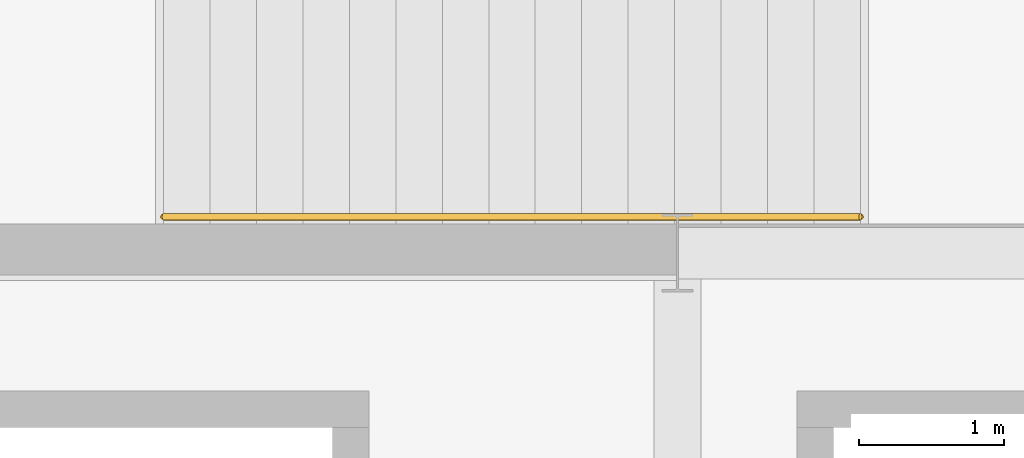
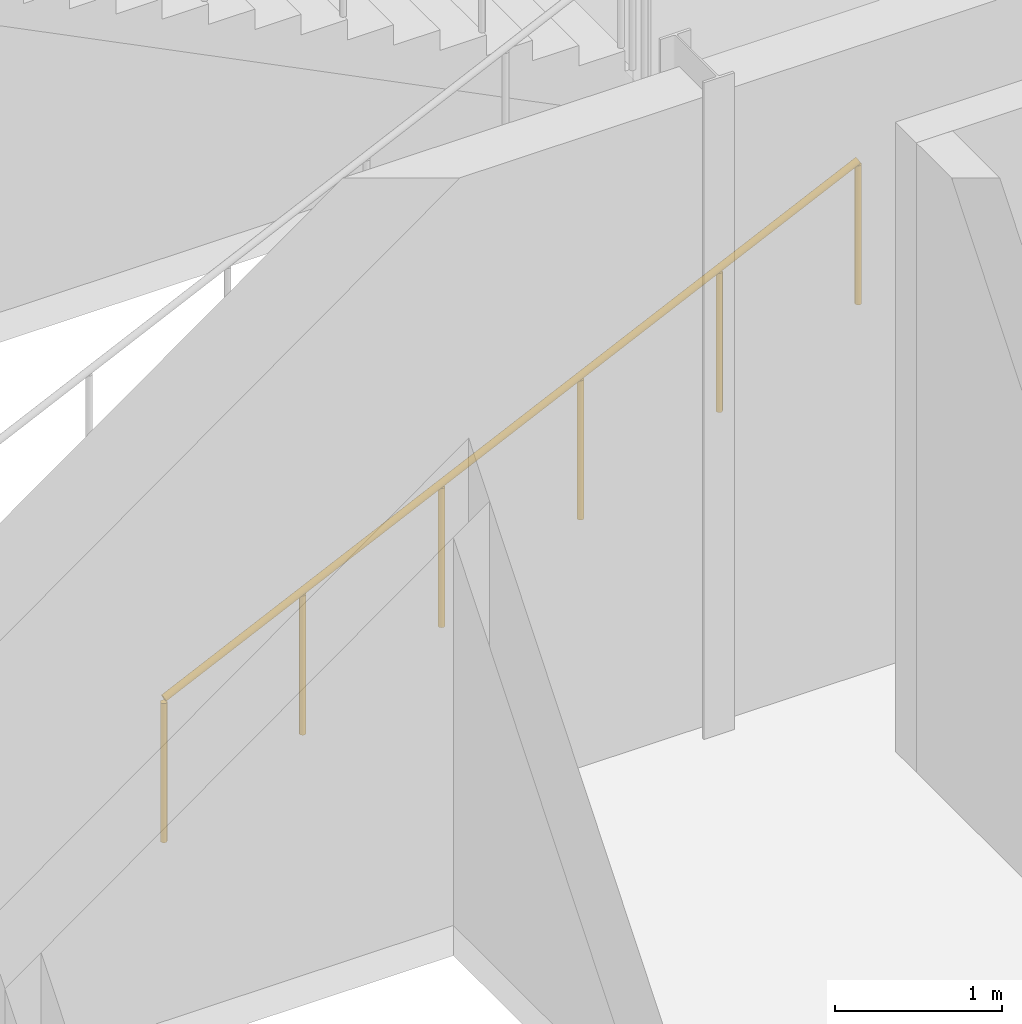
# One storey, part 221 of 224: 1 railing.
"""IFC4 building model written with IfcOpenShell, lengths in metres."""

from ifc_helpers import new_model, si_unit, direction, frame, origin, origin_2d, place, context, subcontext, project, spatial, circle, extrude, material, type_object, element, save


model = new_model("IFC4")

# Units and contexts
model_context = context("Model", 3, precision=1e-05, world=origin(), true_north=direction((0.0, 1.0)))
body_context = subcontext(model_context, "Body", "Model", "MODEL_VIEW")
ifc_project = project(units=[si_unit("LENGTHUNIT", "METRE"), si_unit("AREAUNIT", "SQUARE_METRE"), si_unit("VOLUMEUNIT", "CUBIC_METRE"), si_unit("PLANEANGLEUNIT", "RADIAN"), si_unit("MASSUNIT", "GRAM", prefix="KILO")], contexts=[model_context])

# Site, building, storey
site_placement = place(None, origin())
site = spatial("IfcSite", under=ifc_project, at=site_placement, CompositionType="ELEMENT")
building_placement = place(site_placement, origin())
building = spatial("IfcBuilding", under=site, at=building_placement, Name="Qamarlyn Nura Convention Centre", CompositionType="ELEMENT")
storey_placement = place(building_placement, frame((0.0, 0.0, 10.800048828125)))
storey = spatial("IfcBuildingStorey", under=building, at=storey_placement, Name="L02", CompositionType="ELEMENT", Elevation=10.800048828125)

# Railing
ifc_material = material(Name="Marine Grade 316 stainless steel", Category="steel")
railing_type = type_object("IfcRailingType", Name="HRL-STAIR-090", PredefinedType="HANDRAIL", material=ifc_material)
railing_placement = place(storey_placement, frame((182.4599609375, 63.25, 0.30224609375)))
element("IfcRailing", 1, at=railing_placement, inside=storey, type_object=railing_type, Name="L02 ST-13 stair handrail 1", PredefinedType="HANDRAIL", context=body_context, shape_type="SweptSolid", body=[
    extrude(circle(Radius=0.02392578125, at=origin_2d()), frame((0.0, 0.0, 0.88818359375), z_axis=(0.90546059521, 0.0, 0.424430336476), x_axis=(0.0, 1.0, 0.0)), (0.0, 0.0, 1.0), 5.30126953125),
    extrude(circle(Radius=0.02099609375, at=origin_2d()), frame((0.0, 0.0, -0.155029296875)), (0.0, 0.0, 1.0), 1.01708984375),
    extrude(circle(Radius=0.02099609375, at=origin_2d()), frame((0.9599609375, 0.0, 0.294921875)), (0.0, 0.0, 1.0), 1.01708984375),
    extrude(circle(Radius=0.02099609375, at=origin_2d()), frame((1.919921875, 0.0, 0.744873046875)), (0.0, 0.0, 1.0), 1.01708984375),
    extrude(circle(Radius=0.02099609375, at=origin_2d()), frame((2.880126953125, 0.0, 1.195068359375)), (0.0, 0.0, 1.0), 1.01708984375),
    extrude(circle(Radius=0.02099609375, at=origin_2d()), frame((3.840087890625, 0.0, 1.64501953125)), (0.0, 0.0, 1.0), 1.01708984375),
    extrude(circle(Radius=0.02099609375, at=origin_2d()), frame((4.800048828125, 0.0, 2.094970703125)), (0.0, 0.0, 1.0), 1.01708984375),
])

save(model, "model.ifc")
